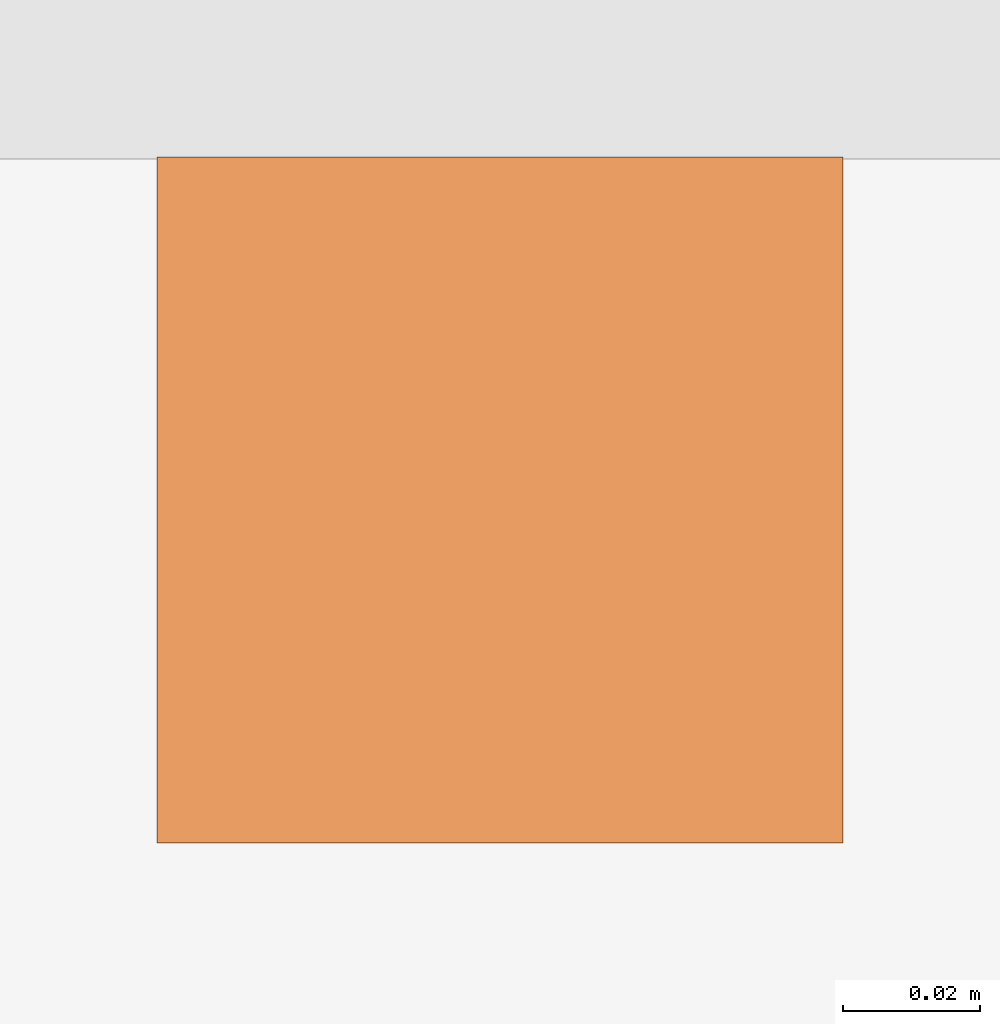
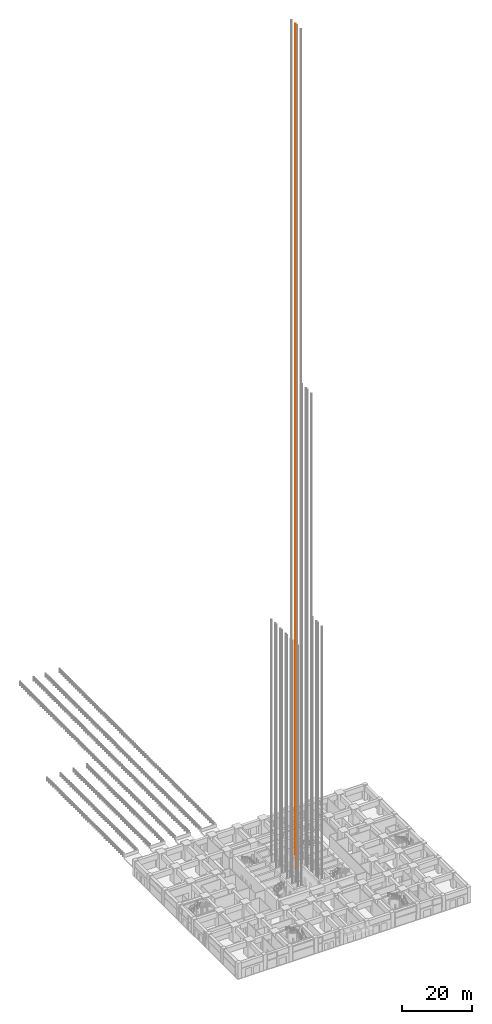
# One storey, part 80 of 81: 1 proxy.
"""IFC4 building model written with IfcOpenShell, lengths in metres."""

from ifc_helpers import new_model, si_unit, direction, frame, origin, origin_2d, place, context, subcontext, project, spatial, rectangle, extrude, material, type_object, element, save


model = new_model("IFC4")

# Units and contexts
model_context = context("Model", 3, precision=1e-05, world=origin(), true_north=direction((0.0, 1.0)))
body_context = subcontext(model_context, "Body", "Model", "MODEL_VIEW")
ifc_project = project(units=[si_unit("LENGTHUNIT", "METRE"), si_unit("AREAUNIT", "SQUARE_METRE"), si_unit("VOLUMEUNIT", "CUBIC_METRE"), si_unit("PLANEANGLEUNIT", "RADIAN"), si_unit("MASSUNIT", "GRAM", prefix="KILO")], contexts=[model_context])

# Site, building, storey
site_placement = place(None, origin())
site = spatial("IfcSite", under=ifc_project, at=site_placement, CompositionType="ELEMENT")
building_placement = place(site_placement, origin())
building = spatial("IfcBuilding", under=site, at=building_placement, Name="Rekha Terrace Tower", CompositionType="ELEMENT")
storey_placement = place(building_placement, origin())
storey = spatial("IfcBuildingStorey", under=building, at=storey_placement, Name="L00", CompositionType="ELEMENT", Elevation=0.0)

# Proxy
ifc_material = material(Name="Steel guide rail", Category="steel")
building_element_proxy_type = type_object("IfcBuildingElementProxyType", Name="LR1 100 lift guide rail", PredefinedType="ELEMENT", material=ifc_material)
proxy_placement = place(storey_placement, frame((41.14990234375, 38.800048828125, 0.0), z_axis=(0.0, 0.0, 1.0), x_axis=(1.0, 0.0, 0.0)))
element("IfcBuildingElementProxy", 1, at=proxy_placement, inside=storey, type_object=building_element_proxy_type, Name="Lift SH6 guide rail 1", PredefinedType="ELEMENT", context=body_context, shape_type="SweptSolid", body=[
    extrude(rectangle(XDim=0.10009765625, YDim=0.10009765625, at=origin_2d()), origin(), (0.0, 0.0, 1.0), 293.75),
])

save(model, "model.ifc")
